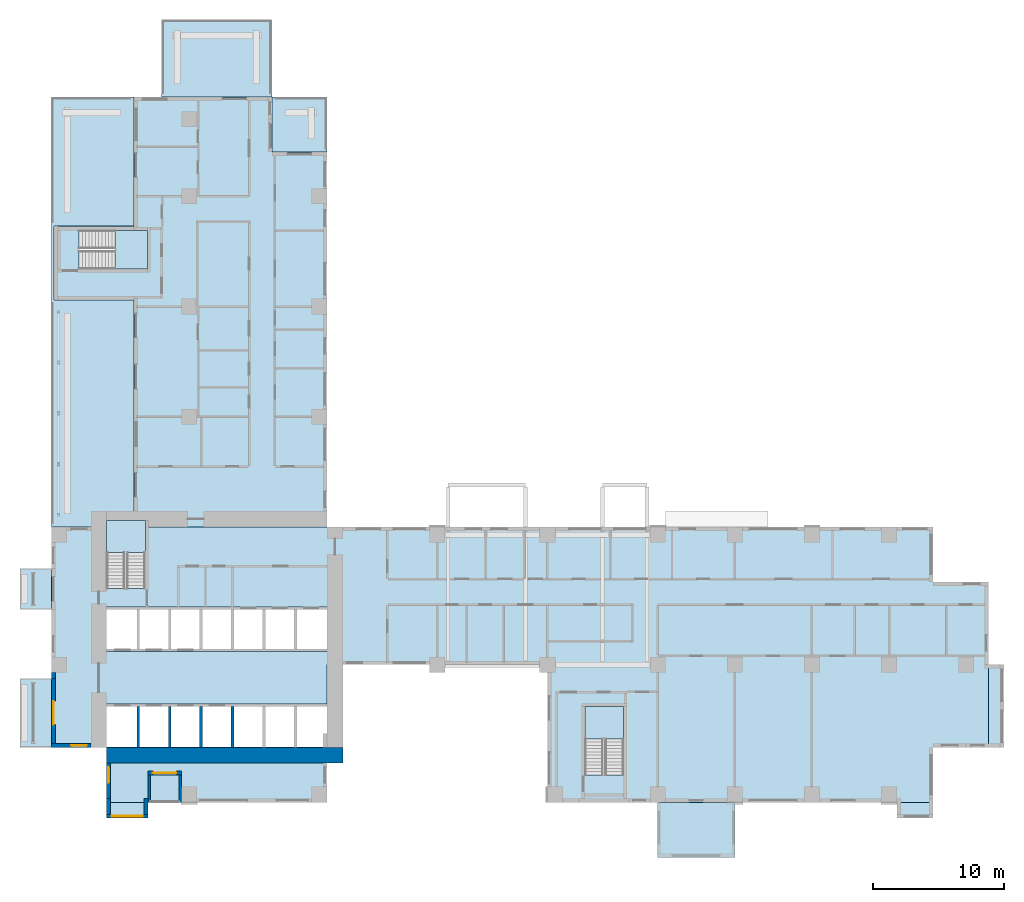
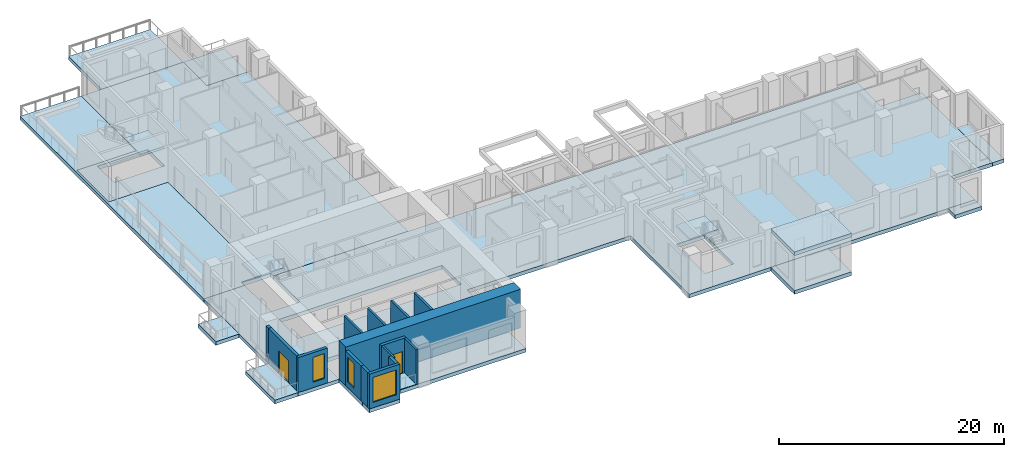
# One storey, part 5 of 18: 16 slabs, 15 walls, 3 windows, 2 doors, 5 openings, 3 elements without a shape of their own.
"""IFC4 building model written with IfcOpenShell, lengths in metres."""

from ifc_helpers import new_model, si_unit, direction, frame, frame_2d, origin, place, context, subcontext, project, spatial, polyline, rectangle, outline, extrude, source, transform, mapped, material, layer, layer_set, type_object, element, fill, aggregate, save


model = new_model("IFC4")

# Units and contexts
model_context = context("Model", 3, precision=1e-05, world=origin(), true_north=direction((0.0, 1.0)))
body_context = subcontext(model_context, "Body", "Model", "MODEL_VIEW")
ifc_project = project(units=[si_unit("LENGTHUNIT", "METRE"), si_unit("AREAUNIT", "SQUARE_METRE"), si_unit("VOLUMEUNIT", "CUBIC_METRE"), si_unit("PLANEANGLEUNIT", "RADIAN"), si_unit("MASSUNIT", "GRAM", prefix="KILO")], contexts=[model_context])

# Site, building, storey
site_placement = place(None, origin())
site = spatial("IfcSite", under=ifc_project, at=site_placement, CompositionType="ELEMENT")
building_placement = place(site_placement, origin())
building = spatial("IfcBuilding", under=site, at=building_placement, Name="Aurelian Terraces", CompositionType="ELEMENT")
storey_placement = place(building_placement, frame((0.0, 0.0, 99.3)))
storey = spatial("IfcBuildingStorey", under=building, at=storey_placement, Name="L21", CompositionType="ELEMENT", Elevation=99.3)

# Slabs
ifc_material_1 = material(Name="Concrete fc' 40 MPa", Category="concrete")
ifc_layer_1 = layer(ifc_material_1, 0.4)
ifc_layer_set_1 = layer_set([ifc_layer_1], Name="Balcony slab 400")
slab_type_1 = type_object("IfcSlabType", Name="Balcony slab 400", PredefinedType="NOTDEFINED", material=ifc_layer_set_1)
slab_1_placement = place(storey_placement, frame((0.0, 0.0, -0.4)))
element("IfcSlab", 1, at=slab_1_placement, inside=storey, type_object=slab_type_1, Name="Balcony slab L21 F24.40", PredefinedType="NOTDEFINED", context=body_context, shape_type="SweptSolid", body=[
    extrude(outline(polyline([(0.0, 17.85), (0.0, 14.7), (-2.4, 14.7), (-2.4, 17.85), (0.0, 17.85)])), origin(), (0.0, 0.0, 1.0), 0.4),
])
slab_2_placement = place(storey_placement, frame((0.0, 0.0, -0.4)))
element("IfcSlab", 2, at=slab_2_placement, inside=storey, type_object=slab_type_1, Name="Balcony slab L21 F24.42", PredefinedType="NOTDEFINED", context=body_context, shape_type="SweptSolid", body=[
    extrude(outline(polyline([(0.0, 9.45), (0.0, 4.2), (-2.4, 4.2), (-2.4, 9.45), (0.0, 9.45)])), origin(), (0.0, 0.0, 1.0), 0.4),
])
ifc_layer_2 = layer(ifc_material_1, 0.4)
ifc_layer_set_2 = layer_set([ifc_layer_2], Name="PT FLAT PLATE 400")
slab_type_2 = type_object("IfcSlabType", Name="PT FLAT PLATE 400", PredefinedType="FLOOR", material=ifc_layer_set_2)
slab_3_placement = place(storey_placement, frame((0.0, 0.0, -0.4)))
element("IfcSlab", 3, at=slab_3_placement, inside=storey, type_object=slab_type_2, Name="Floor slab W L21", PredefinedType="FLOOR", context=body_context, shape_type="SweptSolid", body=[
    extrude(outline(polyline([(0.2, 43.95), (6.3, 43.95), (6.3, 49.56), (6.3, 53.76), (10.5, 53.76), (16.8, 53.76), (16.8, 49.56), (21.0, 49.56), (21.0, 21.0), (7.14, 21.0), (7.14, 21.49), (4.21, 21.49), (4.21, 21.0), (4.2, 21.0), (4.2, 21.6), (6.3, 21.6), (6.3, 38.3), (0.2, 38.3), (0.2, 43.95)]), holes=[polyline([(7.29, 43.59), (2.11, 43.59), (2.11, 40.66), (7.29, 40.66), (7.29, 43.59)])]), origin(), (0.0, 0.0, 1.0), 0.4),
])
ifc_layer_3 = layer(ifc_material_1, 0.4001)
ifc_layer_set_3 = layer_set([ifc_layer_3], Name="Terrace slab 400")
slab_type_3 = type_object("IfcSlabType", Name="Terrace slab 400", PredefinedType="NOTDEFINED", material=ifc_layer_set_3)
slab_4_placement = place(storey_placement, frame((0.0, 0.0, -0.4001)))
element("IfcSlab", 4, at=slab_4_placement, inside=storey, type_object=slab_type_3, Name="Setback terrace L21 L21-X1", PredefinedType="NOTDEFINED", context=body_context, shape_type="SweptSolid", body=[
    extrude(outline(polyline([(0.0, 53.76), (6.3, 53.76), (6.3, 49.56), (6.3, 43.95), (0.2, 43.95), (0.2, 38.3), (6.3, 38.3), (6.3, 21.6), (4.2, 21.6), (4.2, 21.0), (0.0, 21.0), (0.0, 53.76)])), origin(), (0.0, 0.0, 1.0), 0.4001),
])
slab_5_placement = place(storey_placement, frame((0.0, 0.0, -0.4001)))
element("IfcSlab", 5, at=slab_5_placement, inside=storey, type_object=slab_type_3, Name="Setback terrace L21 L21-X2", PredefinedType="NOTDEFINED", context=body_context, shape_type="SweptSolid", body=[
    extrude(outline(polyline([(8.4, 59.64), (16.8, 59.64), (16.8, 53.76), (10.5, 53.76), (8.4, 53.76), (8.4, 59.64)])), origin(), (0.0, 0.0, 1.0), 0.4001),
])
slab_6_placement = place(storey_placement, frame((0.0, 0.0, -0.4001)))
element("IfcSlab", 6, at=slab_6_placement, inside=storey, type_object=slab_type_3, Name="Setback terrace L21 L21-X3", PredefinedType="NOTDEFINED", context=body_context, shape_type="SweptSolid", body=[
    extrude(outline(polyline([(21.0, 53.76), (21.0, 49.56), (16.8, 49.56), (16.8, 53.76), (21.0, 53.76)])), origin(), (0.0, 0.0, 1.0), 0.4001),
])
shared_shape_1 = source(origin(), body_context, "Body", "SweptSolid", [
    extrude(outline(polyline([(71.4, 16.8), (71.4, 4.2), (67.2, 4.2), (67.2, 0.0), (37.8, 0.0), (37.8, 10.5), (21.0, 10.5), (21.0, 0.0), (4.2, 0.0), (4.2, 4.2), (0.0, 4.2), (0.0, 21.0), (4.21, 21.0), (4.21, 16.31), (7.14, 16.31), (7.14, 21.0), (21.0, 21.0), (67.2, 21.0), (67.2, 16.8), (71.4, 16.8)]), holes=[polyline([(40.66, 2.11), (43.59, 2.11), (43.59, 7.29), (40.66, 7.29), (40.66, 2.11)]), polyline([(4.21, 7.49), (4.21, 4.21), (20.99, 4.21), (20.99, 7.49), (4.21, 7.49)]), polyline([(4.21, 14.89), (4.21, 11.51), (20.99, 11.51), (20.99, 14.89), (4.21, 14.89)])]), origin(), (0.0, 0.0, 1.0), 0.4),
])
slab_7_placement = place(storey_placement, frame((0.0, 0.0, -0.4)))
element("IfcSlab", 7, at=slab_7_placement, inside=storey, type_object=slab_type_2, Name="Floor slab S L21", PredefinedType="FLOOR", context=body_context, shape_type="MappedRepresentation", body=[
    mapped(shared_shape_1, transform((0.0, 0.0, 0.0), scale=1.0)),
])
ifc_layer_4 = layer(ifc_material_1, 0.41)
ifc_layer_set_4 = layer_set([ifc_layer_4], Name="Box floor 410")
slab_type_4 = type_object("IfcSlabType", Name="Box floor 410", PredefinedType="NOTDEFINED", material=ifc_layer_set_4)
shared_shape_2 = source(origin(), body_context, "Body", "SweptSolid", [
    extrude(outline(polyline([(46.2, -4.2), (52.08, -4.2), (52.08, 0.0), (46.2, 0.0), (46.2, -4.2)])), origin(), (0.0, 0.0, 1.0), 0.41),
])
slab_8_placement = place(storey_placement, frame((0.0, 0.0, -0.41)))
element("IfcSlab", 8, at=slab_8_placement, inside=storey, type_object=slab_type_4, Name="Box floor L21 J28", PredefinedType="NOTDEFINED", context=body_context, shape_type="MappedRepresentation", body=[
    mapped(shared_shape_2, transform((0.0, 0.0, 0.0), scale=1.0)),
])
ifc_layer_5 = layer(ifc_material_1, 0.4)
ifc_layer_set_5 = layer_set([ifc_layer_5], Name="Bay floor 400")
slab_type_5 = type_object("IfcSlabType", Name="Bay floor 400", PredefinedType="NOTDEFINED", material=ifc_layer_set_5)
shared_shape_3 = source(origin(), body_context, "Body", "SweptSolid", [
    extrude(outline(polyline([(4.2, 0.0), (7.35, 0.0), (7.35, -1.2), (4.2, -1.2), (4.2, 0.0)])), origin(), (0.0, 0.0, 1.0), 0.4),
])
slab_9_placement = place(storey_placement, frame((0.0, 0.0, -0.4)))
element("IfcSlab", 9, at=slab_9_placement, inside=storey, type_object=slab_type_5, Name="Bay floor L21 F01.1", PredefinedType="NOTDEFINED", context=body_context, shape_type="MappedRepresentation", body=[
    mapped(shared_shape_3, transform((0.0, 0.0, 0.0), scale=1.0)),
])
ifc_material_2 = material(Name="Granite paving", Category="masonry")
ifc_layer_6 = layer(ifc_material_2, 0.05)
ifc_layer_set_6 = layer_set([ifc_layer_6], Name="Loggia paving 50")
slab_type_6 = type_object("IfcSlabType", Name="Loggia paving 50", PredefinedType="NOTDEFINED", material=ifc_layer_set_6)
shared_shape_4 = source(origin(), body_context, "Body", "SweptSolid", [
    extrude(outline(polyline([(7.55, 0.0), (9.7, 0.0), (9.7, 2.1), (7.55, 2.1), (7.55, 0.0)])), origin(), (0.0, 0.0, 1.0), 0.05),
])
slab_10_placement = place(storey_placement, origin())
element("IfcSlab", 10, at=slab_10_placement, inside=storey, type_object=slab_type_6, Name="Loggia floor L21 F01.2", PredefinedType="NOTDEFINED", context=body_context, shape_type="MappedRepresentation", body=[
    mapped(shared_shape_4, transform((0.0, 0.0, 0.0), scale=1.0)),
])
shared_shape_5 = source(origin(), body_context, "Body", "SweptSolid", [
    extrude(outline(polyline([(64.44, 0.0), (67.2, 0.0), (67.2, -1.2), (64.44, -1.2), (64.44, 0.0)])), origin(), (0.0, 0.0, 1.0), 0.4),
])
slab_11_placement = place(storey_placement, frame((0.0, 0.0, -0.4)))
element("IfcSlab", 11, at=slab_11_placement, inside=storey, type_object=slab_type_5, Name="Bay floor L21 F05.13", PredefinedType="NOTDEFINED", context=body_context, shape_type="MappedRepresentation", body=[
    mapped(shared_shape_5, transform((0.0, 0.0, 0.0), scale=1.0)),
])
shared_shape_6 = source(origin(), body_context, "Body", "SweptSolid", [
    extrude(outline(polyline([(71.4, 4.2), (71.4, 10.5), (72.6, 10.5), (72.6, 4.2), (71.4, 4.2)])), origin(), (0.0, 0.0, 1.0), 0.4),
])
slab_12_placement = place(storey_placement, frame((0.0, 0.0, -0.4)))
element("IfcSlab", 12, at=slab_12_placement, inside=storey, type_object=slab_type_5, Name="Bay floor L21 F08.17", PredefinedType="NOTDEFINED", context=body_context, shape_type="MappedRepresentation", body=[
    mapped(shared_shape_6, transform((0.0, 0.0, 0.0), scale=1.0)),
])
ifc_layer_7 = layer(ifc_material_1, 0.4)
ifc_layer_set_7 = layer_set([ifc_layer_7], Name="Box roof 400")
slab_type_7 = type_object("IfcSlabType", Name="Box roof 400", PredefinedType="ROOF", material=ifc_layer_set_7)
shared_shape_7 = source(origin(), body_context, "Body", "SweptSolid", [
    extrude(outline(polyline([(46.2, -4.2), (52.08, -4.2), (52.08, 0.0), (46.2, 0.0), (46.2, -4.2)])), origin(), (0.0, 0.0, 1.0), 0.4),
])
slab_13_placement = place(storey_placement, frame((0.0, 0.0, 3.8)))
element("IfcSlab", 13, at=slab_13_placement, inside=storey, type_object=slab_type_7, Name="Box roof J28", PredefinedType="ROOF", context=body_context, shape_type="MappedRepresentation", body=[
    mapped(shared_shape_7, transform((0.0, 0.0, 0.0), scale=1.0)),
])

# Stair, slab
stair_type = type_object("IfcStairType", Name="Stair 1400", PredefinedType="HALF_TURN_STAIR", material=ifc_material_1)
stair_1_placement = place(storey_placement, origin())
stair_1 = element("IfcStair", 14, at=stair_1_placement, inside=storey, type_object=stair_type, Name="L21 S1", PredefinedType="HALF_TURN_STAIR")
ifc_layer_8 = layer(ifc_material_1, 0.2)
ifc_layer_set_8 = layer_set([ifc_layer_8], Name="Stair landing 200")
slab_type_8 = type_object("IfcSlabType", Name="Stair landing 200", PredefinedType="LANDING", material=ifc_layer_set_8)
shared_shape_8 = source(origin(), body_context, "Body", "SweptSolid", [
    extrude(outline(polyline([(7.15, 19.05), (7.15, 21.5), (4.2, 21.5), (4.2, 19.05), (7.15, 19.05)])), origin(), (0.0, 0.0, 1.0), 0.2),
])
slab_14_placement = place(storey_placement, frame((0.0, 0.0, 1.9)))
slab_14 = element("IfcSlab", 15, at=slab_14_placement, type_object=slab_type_8, Name="S1 landing 1", PredefinedType="LANDING", context=body_context, shape_type="MappedRepresentation", body=[
    mapped(shared_shape_8, transform((0.0, 0.0, 0.0), scale=1.0)),
])
aggregate(stair_1, [slab_14])

stair_2_placement = place(storey_placement, origin())
stair_2 = element("IfcStair", 16, at=stair_2_placement, inside=storey, type_object=stair_type, Name="L21 S2", PredefinedType="HALF_TURN_STAIR")
shared_shape_9 = source(origin(), body_context, "Body", "SweptSolid", [
    extrude(outline(polyline([(43.6, 4.85), (43.6, 7.3), (40.65, 7.3), (40.65, 4.85), (43.6, 4.85)])), origin(), (0.0, 0.0, 1.0), 0.2),
])
slab_15_placement = place(storey_placement, frame((0.0, 0.0, 1.9)))
slab_15 = element("IfcSlab", 17, at=slab_15_placement, type_object=slab_type_8, Name="S2 landing 1", PredefinedType="LANDING", context=body_context, shape_type="MappedRepresentation", body=[
    mapped(shared_shape_9, transform((0.0, 0.0, 0.0), scale=1.0)),
])
aggregate(stair_2, [slab_15])

stair_3_placement = place(storey_placement, origin())
stair_3 = element("IfcStair", 18, at=stair_3_placement, inside=storey, type_object=stair_type, Name="L21 S3", PredefinedType="HALF_TURN_STAIR")
shared_shape_10 = source(origin(), body_context, "Body", "SweptSolid", [
    extrude(outline(polyline([(4.85, 40.65), (7.3, 40.65), (7.3, 43.6), (4.85, 43.6), (4.85, 40.65)])), origin(), (0.0, 0.0, 1.0), 0.2),
])
slab_16_placement = place(storey_placement, frame((0.0, 0.0, 1.9)))
slab_16 = element("IfcSlab", 19, at=slab_16_placement, type_object=slab_type_8, Name="S3 landing 1", PredefinedType="LANDING", context=body_context, shape_type="MappedRepresentation", body=[
    mapped(shared_shape_10, transform((0.0, 0.0, 0.0), scale=1.0)),
])
aggregate(stair_3, [slab_16])

# Wall
ifc_material_3 = material(Name="Terracotta rainscreen cladding", Category="masonry")
ifc_layer_9 = layer(ifc_material_3, 0.3)
ifc_layer_set_9 = layer_set([ifc_layer_9], Name="EW-300")
wall_type_1 = type_object("IfcWallType", Name="EW-300", PredefinedType="STANDARD", material=ifc_layer_set_9)
wall_1_placement = place(storey_placement, frame((0.15, 9.9, 0.0), z_axis=(0.0, 0.0, 1.0), x_axis=(0.0, -1.0, 0.0)))
element("IfcWall", 20, at=wall_1_placement, inside=storey, type_object=wall_type_1, Name="External wall L21 F24.41", PredefinedType="STANDARD", context=body_context, shape_type="SweptSolid", body=[
    extrude(rectangle(XDim=0.45, YDim=0.3, at=frame_2d((0.225, 0.0))), origin(), (0.0, 0.0, 1.0), 3.8),
])

# Wall, opening, door
wall_2_placement = place(storey_placement, frame((0.15, 9.45, 0.0), z_axis=(0.0, 0.0, 1.0), x_axis=(0.0, -1.0, 0.0)))
wall_2 = element("IfcWall", 21, at=wall_2_placement, inside=storey, type_object=wall_type_1, Name="External wall L21 F24.42", PredefinedType="STANDARD", context=body_context, shape_type="SweptSolid", body=[
    extrude(rectangle(XDim=5.25, YDim=0.3, at=frame_2d((2.625, 0.0))), origin(), (0.0, 0.0, 1.0), 3.8),
])
shared_shape_11 = source(origin(), body_context, "Body", "SweptSolid", [
    extrude(rectangle(XDim=1.8, YDim=2.4, at=frame_2d((0.9, 1.2))), frame((0.0, 0.16, 0.0), z_axis=(0.0, -1.0, 0.0), x_axis=(1.0, 0.0, 0.0)), (0.0, 0.0, 1.0), 0.32),
])
opening_1_placement = place(wall_2_placement, frame((1.725, 0.0, 0.0)))
opening_1 = element("IfcOpeningElement", 22, at=opening_1_placement, cuts=wall_2, Name="Opening 82110", PredefinedType="OPENING", context=body_context, shape_type="MappedRepresentation", body=[
    mapped(shared_shape_11, transform((0.0, 0.0, 0.0), scale=1.0)),
])
ifc_material_4 = material(Name="Clear glazing", Category="glass")
door_type = type_object("IfcDoorType", Name="BD-1800x2400", OperationType="SLIDING_TO_LEFT", PredefinedType="DOOR", material=ifc_material_4)
shared_shape_12 = source(origin(), body_context, "Body", "SweptSolid", [
    extrude(rectangle(XDim=1.8, YDim=2.4, at=frame_2d((0.9, 1.2))), frame((0.0, 0.025, 0.0), z_axis=(0.0, -1.0, 0.0), x_axis=(1.0, 0.0, 0.0)), (0.0, 0.0, 1.0), 0.05),
])
door_1_placement = place(opening_1_placement, origin())
door_1 = element("IfcDoor", 23, at=door_1_placement, inside=storey, type_object=door_type, Name="Balcony door L21 F24.42", OperationType="SLIDING_TO_LEFT", OverallHeight=2.4, OverallWidth=1.8, PredefinedType="DOOR", context=body_context, shape_type="MappedRepresentation", body=[
    mapped(shared_shape_12, transform((0.0, 0.0, 0.0), scale=1.0)),
])
fill(opening_1, door_1)

# Wall
ifc_material_5 = material(Name="Concrete fc' 83 MPa", Category="concrete")
ifc_layer_10 = layer(ifc_material_5, 1.2)
ifc_layer_set_10 = layer_set([ifc_layer_10], Name="CORE WALL 1200 FC83")
wall_type_2 = type_object("IfcWallType", Name="CORE WALL 1200 FC83", PredefinedType="SHEAR", material=ifc_layer_set_10)
shared_shape_13 = source(origin(), body_context, "Body", "SweptSolid", [
    extrude(rectangle(XDim=18.0, YDim=1.2, at=frame_2d((9.0, 0.0))), origin(), (0.0, 0.0, 1.0), 4.2),
])
wall_3_placement = place(storey_placement, frame((4.2, 3.6, 0.0), z_axis=(0.0, 0.0, 1.0), x_axis=(1.0, 0.0, 0.0)))
element("IfcWall", 24, at=wall_3_placement, inside=storey, type_object=wall_type_2, Name="Core wall S L21", PredefinedType="SHEAR", context=body_context, shape_type="MappedRepresentation", body=[
    mapped(shared_shape_13, transform((0.0, 0.0, 0.0), scale=1.0)),
])

# Wall, opening, window
shared_shape_14 = source(origin(), body_context, "Body", "SweptSolid", [
    extrude(rectangle(XDim=3.15, YDim=0.3, at=frame_2d((1.575, 0.0))), origin(), (0.0, 0.0, 1.0), 3.8),
])
wall_4_placement = place(storey_placement, frame((4.2, -1.05, 0.0), z_axis=(0.0, 0.0, 1.0), x_axis=(1.0, 0.0, 0.0)))
wall_4 = element("IfcWall", 25, at=wall_4_placement, inside=storey, type_object=wall_type_1, Name="Bay wall L21 F01.1", PredefinedType="STANDARD", context=body_context, shape_type="MappedRepresentation", body=[
    mapped(shared_shape_14, transform((0.0, 0.0, 0.0), scale=1.0)),
])
shared_shape_15 = source(origin(), body_context, "Body", "SweptSolid", [
    extrude(rectangle(XDim=2.4, YDim=2.7, at=frame_2d((1.2, 1.35))), frame((0.0, 0.16, 0.0), z_axis=(0.0, -1.0, 0.0), x_axis=(1.0, 0.0, 0.0)), (0.0, 0.0, 1.0), 0.32),
])
opening_2_placement = place(wall_4_placement, frame((0.375, 0.0, 0.6)))
opening_2 = element("IfcOpeningElement", 26, at=opening_2_placement, cuts=wall_4, Name="Opening W2427", PredefinedType="OPENING", context=body_context, shape_type="MappedRepresentation", body=[
    mapped(shared_shape_15, transform((0.0, 0.0, 0.0), scale=1.0)),
])
window_type_1 = type_object("IfcWindowType", Name="W-2400x2700", PartitioningType="SINGLE_PANEL", PredefinedType="WINDOW", material=ifc_material_4)
shared_shape_16 = source(origin(), body_context, "Body", "SweptSolid", [
    extrude(rectangle(XDim=2.4, YDim=2.7, at=frame_2d((1.2, 1.35))), frame((0.0, 0.03, 0.0), z_axis=(0.0, -1.0, 0.0), x_axis=(1.0, 0.0, 0.0)), (0.0, 0.0, 1.0), 0.06),
])
window_1_placement = place(opening_2_placement, origin())
window_1 = element("IfcWindow", 27, at=window_1_placement, inside=storey, type_object=window_type_1, Name="Window L21 L21-F01-01-0", OverallHeight=2.7, OverallWidth=2.4, PartitioningType="SINGLE_PANEL", PredefinedType="WINDOW", context=body_context, shape_type="MappedRepresentation", body=[
    mapped(shared_shape_16, transform((0.0, 0.0, 0.0), scale=1.0)),
])
fill(opening_2, window_1)

# Walls
shared_shape_17 = source(origin(), body_context, "Body", "SweptSolid", [
    extrude(rectangle(XDim=1.2, YDim=0.3, at=frame_2d((0.6, 0.0))), origin(), (0.0, 0.0, 1.0), 3.8),
])
for number, where, z_axis, x_axis, name in (
    (28, (4.35, 0.3, 0.0), (0.0, 0.0, 1.0), (0.0, -1.0, 0.0), "Bay return L21 F01.1.1"),
    (29, (7.2, 0.3, 0.0), (0.0, 0.0, 1.0), (0.0, -1.0, 0.0), "Bay return L21 F01.1.2"),
):
    element("IfcWall", number, at=place(storey_placement, frame(where, z_axis=z_axis, x_axis=x_axis)), inside=storey, type_object=wall_type_1, Name=name, PredefinedType="STANDARD", context=body_context, shape_type="MappedRepresentation", body=[
        mapped(shared_shape_17, transform((0.0, 0.0, 0.0), scale=1.0)),
    ])
ifc_layer_11 = layer(ifc_material_3, 0.2)
ifc_layer_set_11 = layer_set([ifc_layer_11], Name="EW-200")
wall_type_3 = type_object("IfcWallType", Name="EW-200", PredefinedType="STANDARD", material=ifc_layer_set_11)
shared_shape_18 = source(origin(), body_context, "Body", "SweptSolid", [
    extrude(rectangle(XDim=2.1, YDim=0.2, at=frame_2d((1.05, 0.0))), origin(), (0.0, 0.0, 1.0), 3.8),
])
for number, where, z_axis, x_axis, name in (
    (30, (7.45, 0.0, 0.0), (0.0, 0.0, 1.0), (0.0, 1.0, 0.0), "Loggia return L21 F01.2.1"),
    (31, (9.8, 0.0, 0.0), (0.0, 0.0, 1.0), (0.0, 1.0, 0.0), "Loggia return L21 F01.2.2"),
):
    element("IfcWall", number, at=place(storey_placement, frame(where, z_axis=z_axis, x_axis=x_axis)), inside=storey, type_object=wall_type_3, Name=name, PredefinedType="STANDARD", context=body_context, shape_type="MappedRepresentation", body=[
        mapped(shared_shape_18, transform((0.0, 0.0, 0.0), scale=1.0)),
    ])

# Wall, opening, window
shared_shape_19 = source(origin(), body_context, "Body", "SweptSolid", [
    extrude(rectangle(XDim=3.0, YDim=0.3, at=frame_2d((1.5, 0.0))), origin(), (0.0, 0.0, 1.0), 3.8),
])
wall_5_placement = place(storey_placement, frame((0.0, 4.35, 0.0), z_axis=(0.0, 0.0, 1.0), x_axis=(1.0, 0.0, 0.0)))
wall_5 = element("IfcWall", 32, at=wall_5_placement, inside=storey, type_object=wall_type_1, Name="External wall L21 F25.43", PredefinedType="STANDARD", context=body_context, shape_type="MappedRepresentation", body=[
    mapped(shared_shape_19, transform((0.0, 0.0, 0.0), scale=1.0)),
])
shared_shape_20 = source(origin(), body_context, "Body", "SweptSolid", [
    extrude(rectangle(XDim=1.2, YDim=2.7, at=frame_2d((0.6, 1.35))), frame((0.0, 0.16, 0.0), z_axis=(0.0, -1.0, 0.0), x_axis=(1.0, 0.0, 0.0)), (0.0, 0.0, 1.0), 0.32),
])
opening_3_placement = place(wall_5_placement, frame((1.5, 0.0, 0.6)))
opening_3 = element("IfcOpeningElement", 33, at=opening_3_placement, cuts=wall_5, Name="Opening W1227", PredefinedType="OPENING", context=body_context, shape_type="MappedRepresentation", body=[
    mapped(shared_shape_20, transform((0.0, 0.0, 0.0), scale=1.0)),
])
window_type_2 = type_object("IfcWindowType", Name="W-1200x2700", PartitioningType="SINGLE_PANEL", PredefinedType="WINDOW", material=ifc_material_4)
shared_shape_21 = source(origin(), body_context, "Body", "SweptSolid", [
    extrude(rectangle(XDim=1.2, YDim=2.7, at=frame_2d((0.6, 1.35))), frame((0.0, 0.03, 0.0), z_axis=(0.0, -1.0, 0.0), x_axis=(1.0, 0.0, 0.0)), (0.0, 0.0, 1.0), 0.06),
])
window_2_placement = place(opening_3_placement, origin())
window_2 = element("IfcWindow", 34, at=window_2_placement, inside=storey, type_object=window_type_2, Name="Window L21 L21-F25-43-0", OverallHeight=2.7, OverallWidth=1.2, PartitioningType="SINGLE_PANEL", PredefinedType="WINDOW", context=body_context, shape_type="MappedRepresentation", body=[
    mapped(shared_shape_21, transform((0.0, 0.0, 0.0), scale=1.0)),
])
fill(opening_3, window_2)

wall_6_placement = place(storey_placement, frame((4.35, 3.0, 0.0), z_axis=(0.0, 0.0, 1.0), x_axis=(0.0, -1.0, 0.0)))
wall_6 = element("IfcWall", 35, at=wall_6_placement, inside=storey, type_object=wall_type_1, Name="External wall L21 F26.44", PredefinedType="STANDARD", context=body_context, shape_type="MappedRepresentation", body=[
    mapped(shared_shape_19, transform((0.0, 0.0, 0.0), scale=1.0)),
])
opening_4_placement = place(wall_6_placement, frame((0.3, 0.0, 0.6)))
opening_4 = element("IfcOpeningElement", 36, at=opening_4_placement, cuts=wall_6, Name="Opening W1227", PredefinedType="OPENING", context=body_context, shape_type="MappedRepresentation", body=[
    mapped(shared_shape_20, transform((0.0, 0.0, 0.0), scale=1.0)),
])
window_3_placement = place(opening_4_placement, origin())
window_3 = element("IfcWindow", 37, at=window_3_placement, inside=storey, type_object=window_type_2, Name="Window L21 L21-F26-44-0", OverallHeight=2.7, OverallWidth=1.2, PartitioningType="SINGLE_PANEL", PredefinedType="WINDOW", context=body_context, shape_type="MappedRepresentation", body=[
    mapped(shared_shape_21, transform((0.0, 0.0, 0.0), scale=1.0)),
])
fill(opening_4, window_3)

# Wall, opening, door
shared_shape_22 = source(origin(), body_context, "Body", "SweptSolid", [
    extrude(rectangle(XDim=2.55, YDim=0.3, at=frame_2d((1.275, 0.0))), origin(), (0.0, 0.0, 1.0), 3.8),
])
wall_7_placement = place(storey_placement, frame((7.35, 2.25, 0.0), z_axis=(0.0, 0.0, 1.0), x_axis=(1.0, 0.0, 0.0)))
wall_7 = element("IfcWall", 38, at=wall_7_placement, inside=storey, type_object=wall_type_1, Name="Loggia wall L21 F01.2", PredefinedType="STANDARD", context=body_context, shape_type="MappedRepresentation", body=[
    mapped(shared_shape_22, transform((0.0, 0.0, 0.0), scale=1.0)),
])
opening_5_placement = place(wall_7_placement, frame((0.375, 0.0, 0.0)))
opening_5 = element("IfcOpeningElement", 39, at=opening_5_placement, cuts=wall_7, Name="Opening 82101", PredefinedType="OPENING", context=body_context, shape_type="MappedRepresentation", body=[
    mapped(shared_shape_11, transform((0.0, 0.0, 0.0), scale=1.0)),
])
door_2_placement = place(opening_5_placement, origin())
door_2 = element("IfcDoor", 40, at=door_2_placement, inside=storey, type_object=door_type, Name="Balcony door L21 F01.2", OperationType="SLIDING_TO_LEFT", OverallHeight=2.4, OverallWidth=1.8, PredefinedType="DOOR", context=body_context, shape_type="MappedRepresentation", body=[
    mapped(shared_shape_12, transform((0.0, 0.0, 0.0), scale=1.0)),
])
fill(opening_5, door_2)

# Walls
ifc_layer_12 = layer(ifc_material_1, 0.2)
ifc_layer_set_12 = layer_set([ifc_layer_12], Name="Lift shaft wall 200")
wall_type_4 = type_object("IfcWallType", Name="Lift shaft wall 200", PredefinedType="SOLIDWALL", material=ifc_layer_set_12)
shared_shape_23 = source(origin(), body_context, "Body", "SweptSolid", [
    extrude(rectangle(XDim=3.1, YDim=0.2, at=frame_2d((1.55, 0.0))), origin(), (0.0, 0.0, 1.0), 4.2),
])
for number, where, z_axis, x_axis, name in (
    (41, (6.6, 4.2, 0.0), (0.0, 0.0, 1.0), (0.0, 1.0, 0.0), "L21 core wall CD-A1"),
    (42, (9.0, 4.2, 0.0), (0.0, 0.0, 1.0), (0.0, 1.0, 0.0), "L21 core wall CD-A2"),
    (43, (11.4, 4.2, 0.0), (0.0, 0.0, 1.0), (0.0, 1.0, 0.0), "L21 core wall CD-A3"),
    (44, (13.8, 4.2, 0.0), (0.0, 0.0, 1.0), (0.0, 1.0, 0.0), "L21 core wall CD-A4"),
):
    element("IfcWall", number, at=place(storey_placement, frame(where, z_axis=z_axis, x_axis=x_axis)), inside=storey, type_object=wall_type_4, Name=name, PredefinedType="SOLIDWALL", context=body_context, shape_type="MappedRepresentation", body=[
        mapped(shared_shape_23, transform((0.0, 0.0, 0.0), scale=1.0)),
    ])

save(model, "model.ifc")
